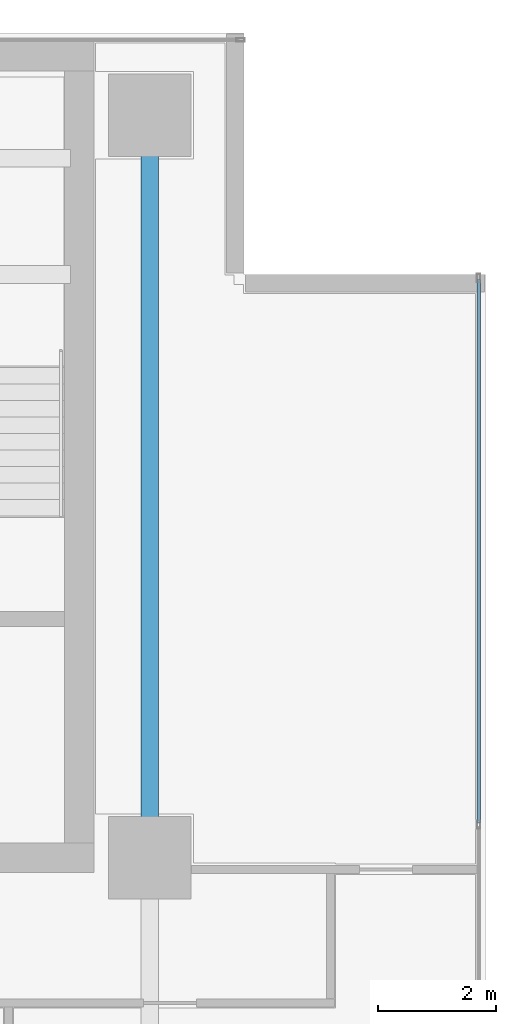
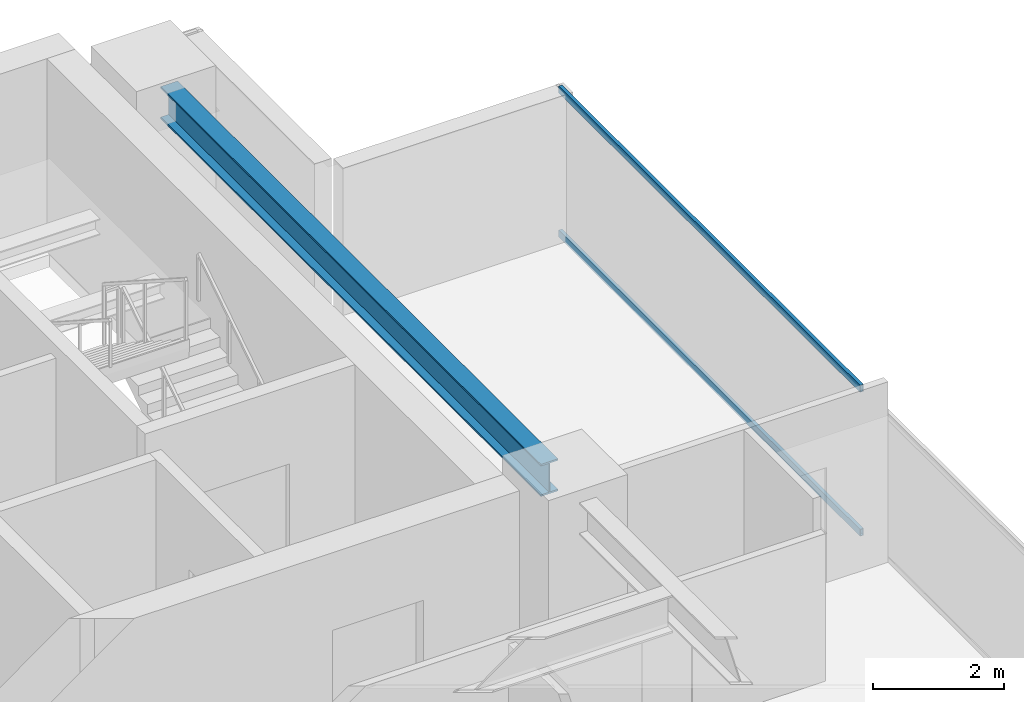
# One storey, part 14 of 26: 2 members, 1 beam, 1 element without a shape of its own.
"""IFC4 building model written with IfcOpenShell, lengths in metres."""

from ifc_helpers import new_model, si_unit, direction, frame, origin, origin_2d, place, context, subcontext, project, spatial, hollow_rectangle, i_section, extrude, source, transform, mapped, material, layer, layer_set, material_profile, profile_set, type_object, element, aggregate, save


model = new_model("IFC4")

# Units and contexts
model_context = context("Model", 3, precision=1e-05, world=origin(), true_north=direction((0.0, 1.0)))
body_context = subcontext(model_context, "Body", "Model", "MODEL_VIEW")
ifc_project = project(units=[si_unit("LENGTHUNIT", "METRE"), si_unit("AREAUNIT", "SQUARE_METRE"), si_unit("VOLUMEUNIT", "CUBIC_METRE"), si_unit("PLANEANGLEUNIT", "RADIAN"), si_unit("MASSUNIT", "GRAM", prefix="KILO")], contexts=[model_context])

# Site, building, storey
site_placement = place(None, origin())
site = spatial("IfcSite", under=ifc_project, at=site_placement, CompositionType="ELEMENT")
building_placement = place(site_placement, origin())
building = spatial("IfcBuilding", under=site, at=building_placement, Name="Sumidabori Civic Tower", CompositionType="ELEMENT")
storey_placement = place(building_placement, frame((0.0, 0.0, 236.0)))
storey = spatial("IfcBuildingStorey", under=building, at=storey_placement, Name="L61", CompositionType="ELEMENT", Elevation=236.0)

# Beam
ifc_material_1 = material(Name="Steel SN490", Category="steel")
ifc_material_profile_1 = material_profile(ifc_material_1, i_section(OverallWidth=0.300048828125, OverallDepth=0.60009765625, WebThickness=0.015380859375, FlangeThickness=0.030029296875, at=origin_2d()), Name="HE 600 B")
ifc_profile_set_1 = profile_set([ifc_material_profile_1], Name="Steel SN490")
beam_type = type_object("IfcBeamType", Name="BM-GIRD-600", PredefinedType="BEAM", material=ifc_profile_set_1)
shared_shape_1 = source(origin(), body_context, "Body", "SweptSolid", [
    extrude(i_section(OverallWidth=0.300048828125, OverallDepth=0.60009765625, WebThickness=0.015380859375, FlangeThickness=0.030029296875, at=origin_2d()), origin(), (0.0, 0.0, 1.0), 11.64013671875),
])
beam_placement = place(storey_placement, frame((16.800048828125, 10.679931640625, 3.070068359375), z_axis=(0.0, 1.0, 0.0), x_axis=(-1.0, 0.0, 0.0)))
element("IfcBeam", 1, at=beam_placement, inside=storey, type_object=beam_type, Name="Primary Girder L61 GY-17", PredefinedType="BEAM", context=body_context, shape_type="MappedRepresentation", body=[
    mapped(shared_shape_1, transform((0.0, 0.0, 0.0), x_axis=(1.0, 0.0, 0.0), y_axis=(0.0, 1.0, 0.0), z_axis=(0.0, 0.0, 1.0), scale=1.0)),
])

# Curtain wall, members
ifc_material_2 = material(Name="Anodised Bronze Aluminium AW-6063-T6", Category="aluminium")
ifc_layer = layer(ifc_material_2, 0.179931640625, Name="Anodised Bronze Aluminium AW-6063-T6")
ifc_layer_set = layer_set([ifc_layer], Name="Anodised Bronze Aluminium AW-6063-T6")
curtain_wall_type = type_object("IfcCurtainWallType", Name="CW-SYS-5", PredefinedType="NOTDEFINED", material=ifc_layer_set)
curtain_wall_placement = place(storey_placement, origin())
curtain_wall = element("IfcCurtainWall", 2, at=curtain_wall_placement, inside=storey, type_object=curtain_wall_type, Name="Curtain Wall CW:L61:R04", PredefinedType="NOTDEFINED")
ifc_material_profile_2 = material_profile(ifc_material_2, hollow_rectangle(XDim=0.06005859375, YDim=0.1298828125, WallThickness=0.0048828125, at=origin_2d()), Name="ALU TRANSOM 130x60")
ifc_profile_set_2 = profile_set([ifc_material_profile_2], Name="Anodised Bronze Aluminium AW-6063-T6")
member_type = type_object("IfcMemberType", Name="CW-TRN-130", PredefinedType="USERDEFINED", material=ifc_profile_set_2)
shared_shape_2 = source(origin(), body_context, "Body", "SweptSolid", [
    extrude(hollow_rectangle(XDim=0.06005859375, YDim=0.1298828125, WallThickness=0.0048828125, at=origin_2d()), origin(), (0.0, 0.0, 1.0), 9.223388671875),
])
member_1_placement = place(storey_placement, frame((22.3798828125, 10.78662109375, 0.030029296875), z_axis=(0.0, 1.0, 0.0), x_axis=(-1.0, 0.0, 0.0)))
member_1 = element("IfcMember", 3, at=member_1_placement, type_object=member_type, Name="CW-5 transom 3.1", ObjectType="TRANSOM", PredefinedType="USERDEFINED", context=body_context, shape_type="MappedRepresentation", body=[
    mapped(shared_shape_2, transform((0.0, 0.0, 0.0), x_axis=(1.0, 0.0, 0.0), y_axis=(0.0, 1.0, 0.0), z_axis=(0.0, 0.0, 1.0), scale=1.0)),
])
member_2_placement = place(storey_placement, frame((22.3798828125, 10.78662109375, 2.719970703125), z_axis=(0.0, 1.0, 0.0), x_axis=(-1.0, 0.0, 0.0)))
member_2 = element("IfcMember", 4, at=member_2_placement, type_object=member_type, Name="CW-5 transom 3.2", ObjectType="TRANSOM", PredefinedType="USERDEFINED", context=body_context, shape_type="MappedRepresentation", body=[
    mapped(shared_shape_2, transform((0.0, 0.0, 0.0), x_axis=(1.0, 0.0, 0.0), y_axis=(0.0, 1.0, 0.0), z_axis=(0.0, 0.0, 1.0), scale=1.0)),
])
aggregate(curtain_wall, [member_1, member_2])

save(model, "model.ifc")
